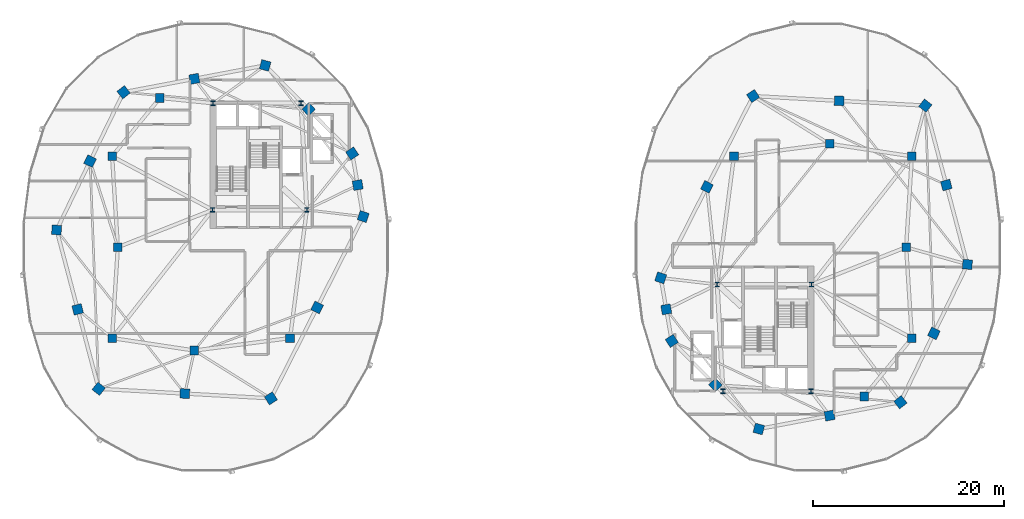
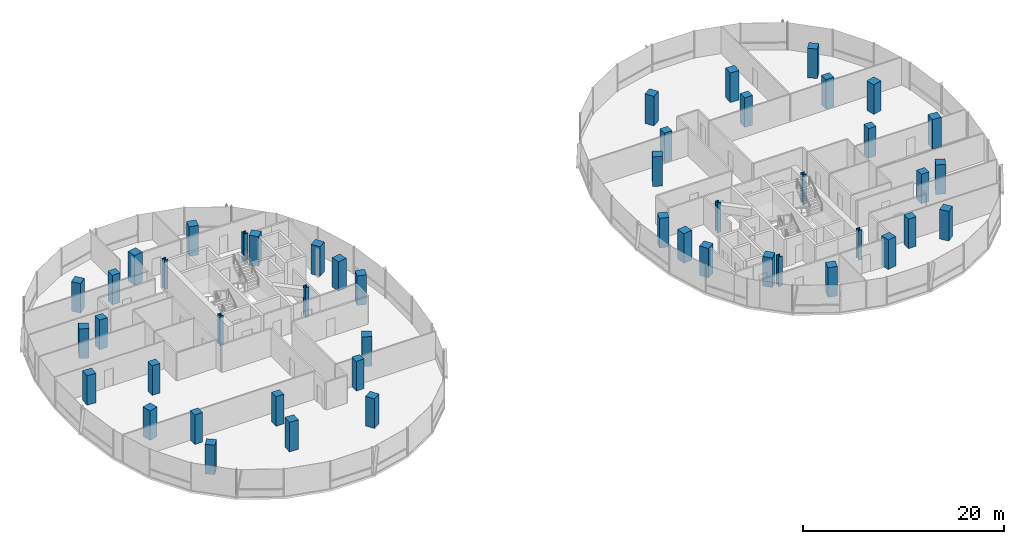
# One storey, part 1 of 22: 48 columns.
"""IFC4 building model written with IfcOpenShell, lengths in metres."""

import ifcopenshell
import ifcopenshell.guid

model = None  # the IFC model being written
_history = None  # IfcOwnerHistory: only IFC2X3 demands one
_inside = {}  # id of a spatial element -> (the spatial element, [elements in it])
_under = {}  # id of a project, library or spatial element -> (it, [spatial elements below it])
_declared = {}  # id of a project -> (the project, [libraries it declares])
_typed = {}  # id of a type object -> (the type object, [elements of that type])
_made_of = {}  # id of a material, layer set ... -> (it, [elements and type objects made of it])


def new_model(schema):
    """Start an empty IFC model of exactly this schema.

    Asked for "IFC4X3", IfcOpenShell would pick the latest addendum, in which some entities
    have other attributes; the version numbers below select the first issue.
    IFC2X3 requires an IfcOwnerHistory on every rooted entity: one is made here for all.
    """
    global model, _history
    if schema == "IFC4X3":
        model = ifcopenshell.file(schema_version=(4, 3, 0, 0))
    else:
        model = ifcopenshell.file(schema=schema)
    _inside.clear()
    _under.clear()
    _declared.clear()
    _typed.clear()
    _made_of.clear()
    _history = None
    if model.schema == "IFC2X3":
        org = make("IfcOrganization", Name="unknown")
        user = make(
            "IfcPersonAndOrganization",
            ThePerson=make("IfcPerson", FamilyName="unknown"),
            TheOrganization=org,
        )
        app = make(
            "IfcApplication",
            ApplicationDeveloper=org,
            Version="unknown",
            ApplicationFullName="unknown",
            ApplicationIdentifier="unknown",
        )
        _history = make(
            "IfcOwnerHistory",
            OwningUser=user,
            OwningApplication=app,
            ChangeAction="ADDED",
            CreationDate=0,
        )
    return model


def make(cls, **values):
    """One entity of the class cls with the attributes given. An attribute that is None is left unset."""
    return model.create_entity(
        cls, **{name: value for name, value in values.items() if value is not None}
    )


def rooted(cls, **values):
    """An entity with a GlobalId (a new one), such as an element, a storey or a relation."""
    return make(cls, GlobalId=ifcopenshell.guid.new(), OwnerHistory=_history, **values)


def si_unit(unit_type, name, prefix=None):
    """IfcSIUnit, for example si_unit("LENGTHUNIT", "METRE", prefix="MILLI")."""
    return make("IfcSIUnit", UnitType=unit_type, Prefix=prefix, Name=name)


def assignment(units):
    """IfcUnitAssignment: the units of a project."""
    return None if units is None else make("IfcUnitAssignment", Units=units)


def point(xyz):
    """IfcCartesianPoint."""
    return None if xyz is None else make("IfcCartesianPoint", Coordinates=xyz)


def direction(xyz):
    """IfcDirection."""
    return None if xyz is None else make("IfcDirection", DirectionRatios=xyz)


def frame(location, z_axis=None, x_axis=None):
    """IfcAxis2Placement3D, a coordinate frame: its origin and axes. An axis left out is left unset."""
    return make(
        "IfcAxis2Placement3D",
        Location=point(location),
        Axis=direction(z_axis),
        RefDirection=direction(x_axis),
    )


def frame_2d(location, x_axis=None):
    """IfcAxis2Placement2D, a coordinate frame in the plane: its origin and x axis."""
    return make(
        "IfcAxis2Placement2D", Location=point(location), RefDirection=direction(x_axis)
    )


def origin():
    """The frame at (0, 0, 0) with its axes left unset."""
    return frame((0.0, 0.0, 0.0))


def origin_2d():
    """The frame at (0, 0) in the plane with its x axis left unset."""
    return frame_2d((0.0, 0.0))


def place(relative_to, where):
    """IfcLocalPlacement: puts the frame where relative to a parent placement (None: the world)."""
    return make(
        "IfcLocalPlacement", PlacementRelTo=relative_to, RelativePlacement=where
    )


def context(
    kind, dimensions, precision=None, world=None, true_north=None, identifier=None
):
    """IfcGeometricRepresentationContext, for example the 3D "Model" context."""
    return make(
        "IfcGeometricRepresentationContext",
        ContextIdentifier=identifier,
        ContextType=kind,
        CoordinateSpaceDimension=dimensions,
        Precision=precision,
        WorldCoordinateSystem=world,
        TrueNorth=true_north,
    )


def subcontext(parent, identifier, kind, view, scale=None):
    """IfcGeometricRepresentationSubContext, for example "Body" below "Model"."""
    return make(
        "IfcGeometricRepresentationSubContext",
        ContextIdentifier=identifier,
        ContextType=kind,
        ParentContext=parent,
        TargetScale=scale,
        TargetView=view,
    )


def project(units=None, contexts=None):
    """IfcProject with its units and contexts."""
    return rooted(
        "IfcProject",
        Name="project",
        RepresentationContexts=contexts,
        UnitsInContext=assignment(units),
    )


def spatial(cls, under=None, at=None, **own):
    """A site, building, storey or space (cls), placed at a placement, below another one or the project."""
    s = rooted(cls, ObjectPlacement=at, **own)
    if under is not None:
        _under.setdefault(under.id(), (under, []))[1].append(s)
    return s


def profile(cls, at=None, kind="AREA", **sizes):
    """A parametric profile (cls). Its sizes go by their IFC names, for example OverallWidth=200.0."""
    return make(cls, ProfileType=kind, Position=at, **sizes)


def rectangle(**sizes):
    """IfcRectangleProfileDef."""
    return profile("IfcRectangleProfileDef", **sizes)


def i_section(**sizes):
    """IfcIShapeProfileDef."""
    return profile("IfcIShapeProfileDef", **sizes)


def extrude(swept, where, along, depth):
    """IfcExtrudedAreaSolid: the profile swept, set in the frame where, extruded along a direction by depth."""
    return make(
        "IfcExtrudedAreaSolid",
        SweptArea=swept,
        Position=where,
        ExtrudedDirection=direction(along),
        Depth=depth,
    )


def shape(context_of_items, identifier, shape_type, items):
    """IfcShapeRepresentation: the items that make up one representation, for example the "Body"."""
    return make(
        "IfcShapeRepresentation",
        ContextOfItems=context_of_items,
        RepresentationIdentifier=identifier,
        RepresentationType=shape_type,
        Items=items,
    )


def material(Name=None, Category=None):
    """IfcMaterial."""
    return make("IfcMaterial", Name=Name, Category=Category)


def material_profile(
    of_material, cross_section, Name=None, Category=None, Priority=None
):
    """IfcMaterialProfile: a cross section and its material."""
    return make(
        "IfcMaterialProfile",
        Name=Name,
        Material=of_material,
        Profile=cross_section,
        Priority=Priority,
        Category=Category,
    )


def profile_set(profiles, Name=None, composite=None):
    """IfcMaterialProfileSet."""
    return make(
        "IfcMaterialProfileSet",
        Name=Name,
        MaterialProfiles=profiles,
        CompositeProfile=composite,
    )


def made_of(thing, what):
    """Note that an element or type object is made of a material, layer set ...; save() writes the relation."""
    if what is not None:
        _made_of.setdefault(what.id(), (what, []))[1].append(thing)
    return thing


def type_object(cls, material=None, **own):
    """A type object (cls), such as IfcWallType, which elements share."""
    return made_of(rooted(cls, **own), material)


def element(
    cls,
    number,
    at=None,
    inside=None,
    cuts=None,
    type_object=None,
    material=None,
    context=None,
    identifier="Body",
    shape_type=None,
    held_by="IfcProductDefinitionShape",
    body=None,
    shapes=None,
    **own,
):
    """One element of the class cls, such as IfcWall. Its Tag is "e" and its number.

    at: its placement. inside: the storey or other place that contains it. cuts: it is an
    opening in that element (IfcRelVoidsElement). A single representation is given by context,
    identifier, shape_type and body (its items); several are given by shapes. held_by: the class
    of the entity that holds the representations. save() writes the other relations.
    """
    e = rooted(cls, Tag="e%d" % number, ObjectPlacement=at, **own)
    if body is not None:
        shapes = [shape(context, identifier, shape_type, body)]
    if shapes is not None:
        e.Representation = make(held_by, Representations=shapes)
    if inside is not None:
        _inside.setdefault(inside.id(), (inside, []))[1].append(e)
    if cuts is not None:
        rooted(
            "IfcRelVoidsElement", RelatingBuildingElement=cuts, RelatedOpeningElement=e
        )
    if type_object is not None:
        _typed.setdefault(type_object.id(), (type_object, []))[1].append(e)
    return made_of(e, material)


def aggregate(whole, parts):
    """IfcRelAggregates: a whole, such as a stair, and the parts it consists of."""
    return rooted("IfcRelAggregates", RelatingObject=whole, RelatedObjects=parts)


def save(model, path):
    """Write the relations noted so far, then the file.

    IfcRelAggregates (storeys below a building ...), IfcRelContainedInSpatialStructure (elements
    in a storey), IfcRelDefinesByType, IfcRelAssociatesMaterial and IfcRelDeclares: one each for
    every whole, place, type object, material and project.
    """
    for whole, parts in _under.values():
        aggregate(whole, parts)
    for where, things in _inside.values():
        rooted(
            "IfcRelContainedInSpatialStructure",
            RelatedElements=things,
            RelatingStructure=where,
        )
    for kind, things in _typed.values():
        rooted("IfcRelDefinesByType", RelatedObjects=things, RelatingType=kind)
    for what, things in _made_of.values():
        rooted("IfcRelAssociatesMaterial", RelatedObjects=things, RelatingMaterial=what)
    for by, libraries in _declared.values():
        rooted("IfcRelDeclares", RelatingContext=by, RelatedDefinitions=libraries)
    model.write(path)


model = new_model("IFC4")

# Units and contexts
model_context = context("Model", 3, precision=1e-05, world=origin(), true_north=direction((0.0, 1.0)))
body_context = subcontext(model_context, "Body", "Model", "MODEL_VIEW")
ifc_project = project(units=[si_unit("LENGTHUNIT", "METRE"), si_unit("AREAUNIT", "SQUARE_METRE"), si_unit("VOLUMEUNIT", "CUBIC_METRE"), si_unit("PLANEANGLEUNIT", "RADIAN"), si_unit("MASSUNIT", "GRAM", prefix="KILO"), si_unit("THERMODYNAMICTEMPERATUREUNIT", "KELVIN"), si_unit("POWERUNIT", "WATT")], contexts=[model_context])

# Site, building, storey
site_placement = place(None, origin())
site = spatial("IfcSite", under=ifc_project, at=site_placement, CompositionType="ELEMENT")
building_placement = place(site_placement, origin())
building = spatial("IfcBuilding", under=site, at=building_placement, Name="Cundina Bronze Exchange", CompositionType="ELEMENT")
storey_placement = place(building_placement, frame((0.0, 0.0, 154.800048828125)))
storey = spatial("IfcBuildingStorey", under=building, at=storey_placement, Name="L40", CompositionType="ELEMENT", Elevation=154.800048828125)

# Columns
ifc_material_1 = material(Name="Steel ASTM A992 Grade 50", Category="steel")
ifc_material_profile_1 = material_profile(ifc_material_1, i_section(OverallWidth=0.431884765625, OverallDepth=0.498046875, WebThickness=0.0556640625, FlangeThickness=0.0888671875, FilletRadius=0.01806640625, at=origin_2d()), Name="W14X500", Category="steel")
ifc_profile_set_1 = profile_set([ifc_material_profile_1], Name="Steel ASTM A992 Grade 50")
column_type_1 = type_object("IfcColumnType", Name="COL-STL-W14A", PredefinedType="COLUMN", material=ifc_profile_set_1)
for number, where, z_axis, x_axis, name in (
    (1, (-31.300048828125, 3.89990234375, 0.0), (0.0, 0.0, 1.0), (1.0, 0.0, 0.0), "L40 Core Anchor Column W1"),
    (2, (-21.449951171875, 3.89990234375, 0.0), (0.0, 0.0, 1.0), (1.0, 0.0, 0.0), "L40 Core Anchor Column W2"),
    (3, (-22.050048828125, 15.050048828125, 0.0), (0.0, 0.0, 1.0), (1.0, 0.0, 0.0), "L40 Core Anchor Column W3"),
    (4, (-31.25, 15.050048828125, 0.0), (0.0, 0.0, 1.0), (1.0, 0.0, 0.0), "L40 Core Anchor Column W4"),
    (5, (31.300048828125, -3.89990234375, 0.0), (0.0, 0.0, 1.0), (1.0, 0.0, 0.0), "L40 Core Anchor Column E1"),
    (6, (21.449951171875, -3.89990234375, 0.0), (0.0, 0.0, 1.0), (1.0, 0.0, 0.0), "L40 Core Anchor Column E2"),
    (7, (22.050048828125, -15.050048828125, 0.0), (0.0, 0.0, 1.0), (1.0, 0.0, 0.0), "L40 Core Anchor Column E3"),
    (8, (31.25, -15.050048828125, 0.0), (0.0, 0.0, 1.0), (1.0, 0.0, 0.0), "L40 Core Anchor Column E4"),
):
    element("IfcColumn", number, at=place(storey_placement, frame(where, z_axis=z_axis, x_axis=x_axis)), inside=storey, type_object=column_type_1, Name=name, PredefinedType="COLUMN", context=body_context, shape_type="SweptSolid", body=[
        extrude(i_section(OverallWidth=0.431884765625, OverallDepth=0.498046875, WebThickness=0.0556640625, FlangeThickness=0.0888671875, FilletRadius=0.01806640625, at=origin_2d()), origin(), (0.0, 0.0, 1.0), 3.599853515625),
    ])
ifc_material_2 = material(Name="Concrete C50/60", Category="concrete")
ifc_material_profile_2 = material_profile(ifc_material_2, rectangle(XDim=1.0, YDim=1.0, at=origin_2d()), Name="RC1000X1000", Category="concrete")
ifc_profile_set_2 = profile_set([ifc_material_profile_2], Name="Concrete C50/60")
column_type_2 = type_object("IfcColumnType", Name="COL-Z3-1000", PredefinedType="COLUMN", material=ifc_profile_set_2)
for number, where, z_axis, x_axis, name in (
    (9, (-15.550048828125, 3.199951171875, 0.0), (0.0, 0.0, 1.0), (0.315152163383, 0.949041155016, 0.0), "L40 W Perimeter Column 00"),
    (10, (-16.125, 6.5, 0.0), (0.0, 0.0, 1.0), (-0.171585221787, 0.985169280715, 0.0), "L40 W Perimeter Column 01"),
    (11, (-16.699951171875, 9.800048828125, 0.0), (0.0, 0.0, 1.0), (-0.544199833495, 0.838955625301, 0.0), "L40 W Perimeter Column 02"),
    (12, (-21.25, 14.39990234375, 0.0), (0.0, 0.0, 1.0), (-0.703270634186, 0.710922228581, 0.0), "L40 W Perimeter Column 03"),
    (13, (-25.800048828125, 19.0, 0.0), (0.0, 0.0, 1.0), (-0.965970984022, 0.258650455301, 0.0), "L40 W Perimeter Column 04"),
    (14, (-33.199951171875, 17.60009765625, 0.0), (0.0, 0.0, 1.0), (-0.98258037664, -0.185838110843, 0.0), "L40 W Perimeter Column 05"),
    (15, (-40.60009765625, 16.199951171875, 0.0), (0.0, 0.0, 1.0), (-0.785100778485, -0.619368038909, 0.0), "L40 W Perimeter Column 06"),
    (16, (-44.10009765625, 9.0, 0.0), (0.0, 0.0, 1.0), (-0.437115766651, -0.899405251566, 0.0), "L40 W Perimeter Column 07"),
    (17, (-47.60009765625, 1.800048828125, 0.0), (0.0, 0.0, 1.0), (-0.083503921245, -0.996507448611, 0.0), "L40 W Perimeter Column 08"),
    (18, (-45.39990234375, -6.5, 0.0), (0.0, 0.0, 1.0), (0.256289373133, -0.966600102017, 0.0), "L40 W Perimeter Column 09"),
    (19, (-43.199951171875, -14.800048828125, 0.0), (0.0, 0.0, 1.0), (0.786288432137, -0.61785961309, 0.0), "L40 W Perimeter Column 10"),
    (20, (-34.199951171875, -15.300048828125, 0.0), (0.0, 0.0, 1.0), (0.998460188734, -0.055472980025, 0.0), "L40 W Perimeter Column 11"),
    (21, (-25.199951171875, -15.800048828125, 0.0), (0.0, 0.0, 1.0), (0.838099763533, 0.545516989988, 0.0), "L40 W Perimeter Column 12"),
    (22, (-20.375, -6.300048828125, 0.0), (0.0, 0.0, 1.0), (0.452901591366, 0.891560513111, 0.0), "L40 W Perimeter Column 13"),
    (23, (15.550048828125, -3.199951171875, 0.0), (0.0, 0.0, 1.0), (-0.315152163383, -0.949041155016, 0.0), "L40 E Perimeter Column 00"),
    (24, (16.125, -6.5, 0.0), (0.0, 0.0, 1.0), (0.171585221787, -0.985169280715, 0.0), "L40 E Perimeter Column 01"),
    (25, (16.699951171875, -9.800048828125, 0.0), (0.0, 0.0, 1.0), (0.544199833495, -0.838955625301, 0.0), "L40 E Perimeter Column 02"),
    (26, (21.25, -14.39990234375, 0.0), (0.0, 0.0, 1.0), (0.703270634186, -0.710922228581, 0.0), "L40 E Perimeter Column 03"),
    (27, (25.800048828125, -19.0, 0.0), (0.0, 0.0, 1.0), (0.965970984022, -0.258650455301, 0.0), "L40 E Perimeter Column 04"),
    (28, (33.199951171875, -17.60009765625, 0.0), (0.0, 0.0, 1.0), (0.98258037664, 0.185838110843, 0.0), "L40 E Perimeter Column 05"),
    (29, (40.60009765625, -16.199951171875, 0.0), (0.0, 0.0, 1.0), (0.785100778485, 0.619368038909, 0.0), "L40 E Perimeter Column 06"),
    (30, (44.10009765625, -9.0, 0.0), (0.0, 0.0, 1.0), (0.437115766651, 0.899405251566, 0.0), "L40 E Perimeter Column 07"),
    (31, (47.60009765625, -1.800048828125, 0.0), (0.0, 0.0, 1.0), (0.083503921245, 0.996507448611, 0.0), "L40 E Perimeter Column 08"),
    (32, (45.39990234375, 6.5, 0.0), (0.0, 0.0, 1.0), (-0.256289373133, 0.966600102017, 0.0), "L40 E Perimeter Column 09"),
    (33, (43.199951171875, 14.800048828125, 0.0), (0.0, 0.0, 1.0), (-0.786288432137, 0.61785961309, 0.0), "L40 E Perimeter Column 10"),
    (34, (34.199951171875, 15.300048828125, 0.0), (0.0, 0.0, 1.0), (-0.998460188734, 0.055472980025, 0.0), "L40 E Perimeter Column 11"),
    (35, (25.199951171875, 15.800048828125, 0.0), (0.0, 0.0, 1.0), (-0.838099763533, -0.545516989988, 0.0), "L40 E Perimeter Column 12"),
    (36, (20.375, 6.300048828125, 0.0), (0.0, 0.0, 1.0), (-0.452901591366, -0.891560513111, 0.0), "L40 E Perimeter Column 13"),
):
    element("IfcColumn", number, at=place(storey_placement, frame(where, z_axis=z_axis, x_axis=x_axis)), inside=storey, type_object=column_type_2, Name=name, PredefinedType="COLUMN", context=body_context, shape_type="SweptSolid", body=[
        extrude(rectangle(XDim=1.0, YDim=1.0, at=origin_2d()), origin(), (0.0, 0.0, 1.0), 3.599853515625),
    ])
ifc_material_profile_3 = material_profile(ifc_material_2, rectangle(XDim=0.89990234375, YDim=0.89990234375, at=origin_2d()), Name="RC900X900", Category="concrete")
ifc_profile_set_3 = profile_set([ifc_material_profile_3], Name="Concrete C50/60")
column_type_3 = type_object("IfcColumnType", Name="COL-Z4-900", PredefinedType="COLUMN", material=ifc_profile_set_3)
for number, where, z_axis, x_axis, name in (
    (37, (-41.199951171875, 0.0, 0.0), (0.0, 0.0, 1.0), (1.0, 0.0, 0.0), "L40 W Inner Ring Column 1"),
    (38, (-41.800048828125, 9.5, 0.0), (0.0, 0.0, 1.0), (1.0, 0.0, 0.0), "L40 W Inner Ring Column 2"),
    (39, (-36.800048828125, 15.60009765625, 0.0), (0.0, 0.0, 1.0), (1.0, 0.0, 0.0), "L40 W Inner Ring Column 3"),
    (40, (-41.800048828125, -9.5, 0.0), (0.0, 0.0, 1.0), (1.0, 0.0, 0.0), "L40 W Inner Ring Column 4"),
    (41, (-33.199951171875, -10.800048828125, 0.0), (0.0, 0.0, 1.0), (1.0, 0.0, 0.0), "L40 W Inner Ring Column 5"),
    (42, (-23.199951171875, -9.5, 0.0), (0.0, 0.0, 1.0), (1.0, 0.0, 0.0), "L40 W Inner Ring Column 6"),
    (43, (41.199951171875, 0.0, 0.0), (0.0, 0.0, 1.0), (1.0, 0.0, 0.0), "L40 E Inner Ring Column 1"),
    (44, (41.800048828125, -9.5, 0.0), (0.0, 0.0, 1.0), (1.0, 0.0, 0.0), "L40 E Inner Ring Column 2"),
    (45, (36.800048828125, -15.60009765625, 0.0), (0.0, 0.0, 1.0), (1.0, 0.0, 0.0), "L40 E Inner Ring Column 3"),
    (46, (41.800048828125, 9.5, 0.0), (0.0, 0.0, 1.0), (1.0, 0.0, 0.0), "L40 E Inner Ring Column 4"),
    (47, (33.199951171875, 10.800048828125, 0.0), (0.0, 0.0, 1.0), (1.0, 0.0, 0.0), "L40 E Inner Ring Column 5"),
    (48, (23.199951171875, 9.5, 0.0), (0.0, 0.0, 1.0), (1.0, 0.0, 0.0), "L40 E Inner Ring Column 6"),
):
    element("IfcColumn", number, at=place(storey_placement, frame(where, z_axis=z_axis, x_axis=x_axis)), inside=storey, type_object=column_type_3, Name=name, PredefinedType="COLUMN", context=body_context, shape_type="SweptSolid", body=[
        extrude(rectangle(XDim=0.89990234375, YDim=0.89990234375, at=origin_2d()), origin(), (0.0, 0.0, 1.0), 3.599853515625),
    ])

save(model, "model.ifc")
